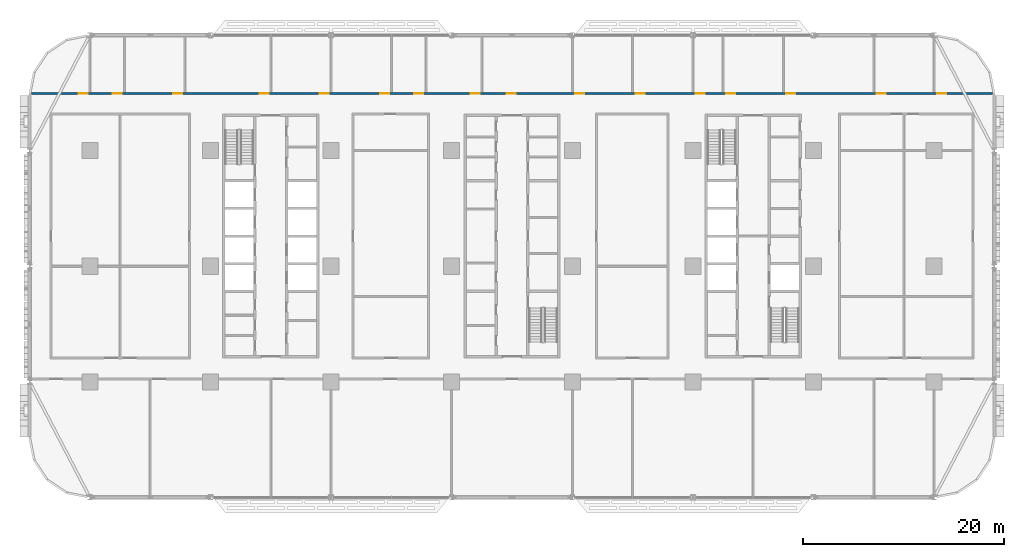
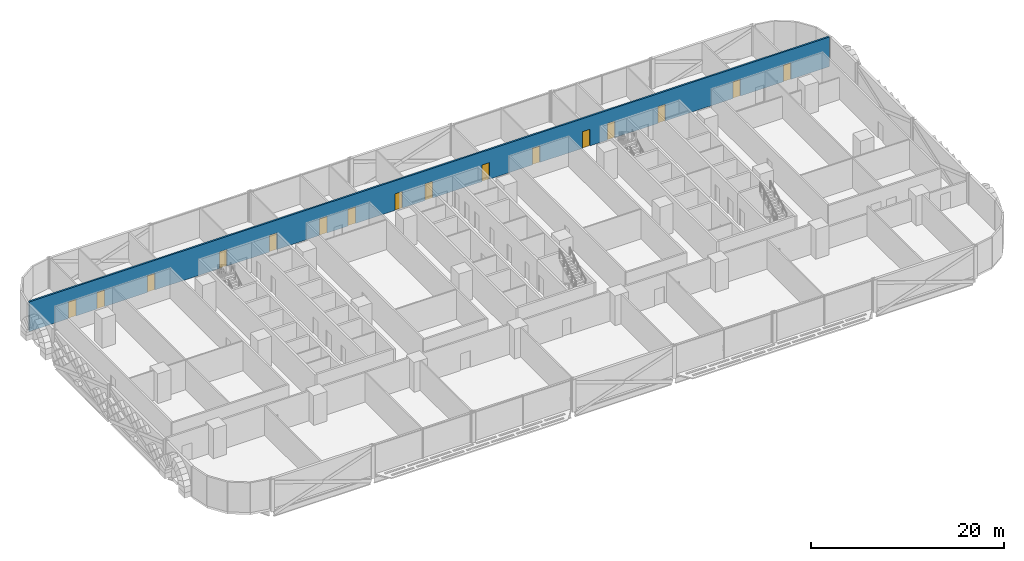
# One storey, part 13 of 29: 16 doors, 1 wall, 16 openings.
"""IFC4 building model written with IfcOpenShell, lengths in metres."""

from ifc_helpers import new_model, si_unit, direction, frame, frame_2d, origin, place, context, subcontext, project, spatial, rectangle, extrude, material, layer, layer_set, type_object, element, fill, save


model = new_model("IFC4")

# Units and contexts
model_context = context("Model", 3, precision=1e-05, world=origin(), true_north=direction((0.0, 1.0)))
body_context = subcontext(model_context, "Body", "Model", "MODEL_VIEW")
ifc_project = project(units=[si_unit("LENGTHUNIT", "METRE"), si_unit("AREAUNIT", "SQUARE_METRE"), si_unit("VOLUMEUNIT", "CUBIC_METRE"), si_unit("PLANEANGLEUNIT", "RADIAN"), si_unit("MASSUNIT", "GRAM", prefix="KILO")], contexts=[model_context])

# Site, building, storey
site_placement = place(None, origin())
site = spatial("IfcSite", under=ifc_project, at=site_placement, CompositionType="ELEMENT")
building_placement = place(site_placement, origin())
building = spatial("IfcBuilding", under=site, at=building_placement, Name="Mahtab Terrace Research Tower", CompositionType="ELEMENT")
storey_placement = place(building_placement, frame((0.0, 0.0, 37.300048828125)))
storey = spatial("IfcBuildingStorey", under=building, at=storey_placement, Name="L08", CompositionType="ELEMENT", Elevation=37.300048828125)

# Wall, openings, doors
ifc_material_1 = material(Name="Gypsum board corridor wall on steel studs", Category="steel")
ifc_layer = layer(ifc_material_1, 0.199951171875)
ifc_layer_set = layer_set([ifc_layer], Name="WALL CORRIDOR 200")
wall_type = type_object("IfcWallType", Name="WALL CORRIDOR 200", PredefinedType="PARTITIONING", material=ifc_layer_set)
wall_placement = place(storey_placement, frame((-47.807373046875, 17.199951171875, 0.0), z_axis=(0.0, 0.0, 1.0), x_axis=(1.0, 0.0, 0.0)))
wall = element("IfcWall", 1, at=wall_placement, inside=storey, type_object=wall_type, Name="L08-W026", PredefinedType="PARTITIONING", context=body_context, shape_type="SweptSolid", body=[
    extrude(rectangle(XDim=95.61474609375, YDim=0.199951171875, at=frame_2d((47.807373046875, 0.0))), origin(), (0.0, 0.0, 1.0), 3.75),
])
opening_1_placement = place(wall_placement, frame((4.699951171875, 0.0, 0.0)))
opening_1 = element("IfcOpeningElement", 2, at=opening_1_placement, cuts=wall, Name="Opening L08-126", PredefinedType="OPENING", context=body_context, shape_type="SweptSolid", body=[
    extrude(rectangle(XDim=0.89990234375, YDim=2.10009765625, at=frame_2d((0.449951171875, 1.050048828125))), frame((0.0, 0.10986328125, 0.0), z_axis=(0.0, -1.0, 0.0), x_axis=(1.0, 0.0, 0.0)), (0.0, 0.0, 1.0), 0.219970703125),
])
opening_2_placement = place(wall_placement, frame((8.10009765625, 0.0, 0.0)))
opening_2 = element("IfcOpeningElement", 3, at=opening_2_placement, cuts=wall, Name="Opening L08-127", PredefinedType="OPENING", context=body_context, shape_type="SweptSolid", body=[
    extrude(rectangle(XDim=0.89990234375, YDim=2.10009765625, at=frame_2d((0.449951171875, 1.050048828125))), frame((0.0, 0.10986328125, 0.0), z_axis=(0.0, -1.0, 0.0), x_axis=(1.0, 0.0, 0.0)), (0.0, 0.0, 1.0), 0.219970703125),
])
opening_3_placement = place(wall_placement, frame((14.10009765625, 0.0, 0.0)))
opening_3 = element("IfcOpeningElement", 4, at=opening_3_placement, cuts=wall, Name="Opening L08-128", PredefinedType="OPENING", context=body_context, shape_type="SweptSolid", body=[
    extrude(rectangle(XDim=0.89990234375, YDim=2.10009765625, at=frame_2d((0.449951171875, 1.050048828125))), frame((0.0, 0.10986328125, 0.0), z_axis=(0.0, -1.0, 0.0), x_axis=(1.0, 0.0, 0.0)), (0.0, 0.0, 1.0), 0.219970703125),
])
opening_4_placement = place(wall_placement, frame((22.699951171875, 0.0, 0.0)))
opening_4 = element("IfcOpeningElement", 5, at=opening_4_placement, cuts=wall, Name="Opening L08-129", PredefinedType="OPENING", context=body_context, shape_type="SweptSolid", body=[
    extrude(rectangle(XDim=0.89990234375, YDim=2.10009765625, at=frame_2d((0.449951171875, 1.050048828125))), frame((0.0, 0.10986328125, 0.0), z_axis=(0.0, -1.0, 0.0), x_axis=(1.0, 0.0, 0.0)), (0.0, 0.0, 1.0), 0.219970703125),
])
opening_5_placement = place(wall_placement, frame((28.699951171875, 0.0, 0.0)))
opening_5 = element("IfcOpeningElement", 6, at=opening_5_placement, cuts=wall, Name="Opening L08-130", PredefinedType="OPENING", context=body_context, shape_type="SweptSolid", body=[
    extrude(rectangle(XDim=0.89990234375, YDim=2.10009765625, at=frame_2d((0.449951171875, 1.050048828125))), frame((0.0, 0.10986328125, 0.0), z_axis=(0.0, -1.0, 0.0), x_axis=(1.0, 0.0, 0.0)), (0.0, 0.0, 1.0), 0.219970703125),
])
opening_6_placement = place(wall_placement, frame((34.699951171875, 0.0, 0.0)))
opening_6 = element("IfcOpeningElement", 7, at=opening_6_placement, cuts=wall, Name="Opening L08-131", PredefinedType="OPENING", context=body_context, shape_type="SweptSolid", body=[
    extrude(rectangle(XDim=0.89990234375, YDim=2.10009765625, at=frame_2d((0.449951171875, 1.050048828125))), frame((0.0, 0.10986328125, 0.0), z_axis=(0.0, -1.0, 0.0), x_axis=(1.0, 0.0, 0.0)), (0.0, 0.0, 1.0), 0.219970703125),
])
opening_7_placement = place(wall_placement, frame((38.10009765625, 0.0, 0.0)))
opening_7 = element("IfcOpeningElement", 8, at=opening_7_placement, cuts=wall, Name="Opening L08-132", PredefinedType="OPENING", context=body_context, shape_type="SweptSolid", body=[
    extrude(rectangle(XDim=0.89990234375, YDim=2.10009765625, at=frame_2d((0.449951171875, 1.050048828125))), frame((0.0, 0.10986328125, 0.0), z_axis=(0.0, -1.0, 0.0), x_axis=(1.0, 0.0, 0.0)), (0.0, 0.0, 1.0), 0.219970703125),
])
opening_8_placement = place(wall_placement, frame((43.699951171875, 0.0, 0.0)))
opening_8 = element("IfcOpeningElement", 9, at=opening_8_placement, cuts=wall, Name="Opening L08-133", PredefinedType="OPENING", context=body_context, shape_type="SweptSolid", body=[
    extrude(rectangle(XDim=0.89990234375, YDim=2.10009765625, at=frame_2d((0.449951171875, 1.050048828125))), frame((0.0, 0.10986328125, 0.0), z_axis=(0.0, -1.0, 0.0), x_axis=(1.0, 0.0, 0.0)), (0.0, 0.0, 1.0), 0.219970703125),
])
opening_9_placement = place(wall_placement, frame((47.300048828125, 0.0, 0.0)))
opening_9 = element("IfcOpeningElement", 10, at=opening_9_placement, cuts=wall, Name="Opening L08-134", PredefinedType="OPENING", context=body_context, shape_type="SweptSolid", body=[
    extrude(rectangle(XDim=0.89990234375, YDim=2.10009765625, at=frame_2d((0.449951171875, 1.050048828125))), frame((0.0, 0.10986328125, 0.0), z_axis=(0.0, -1.0, 0.0), x_axis=(1.0, 0.0, 0.0)), (0.0, 0.0, 1.0), 0.219970703125),
])
opening_10_placement = place(wall_placement, frame((54.10009765625, 0.0, 0.0)))
opening_10 = element("IfcOpeningElement", 11, at=opening_10_placement, cuts=wall, Name="Opening L08-135", PredefinedType="OPENING", context=body_context, shape_type="SweptSolid", body=[
    extrude(rectangle(XDim=0.89990234375, YDim=2.10009765625, at=frame_2d((0.449951171875, 1.050048828125))), frame((0.0, 0.10986328125, 0.0), z_axis=(0.0, -1.0, 0.0), x_axis=(1.0, 0.0, 0.0)), (0.0, 0.0, 1.0), 0.219970703125),
])
opening_11_placement = place(wall_placement, frame((60.10009765625, 0.0, 0.0)))
opening_11 = element("IfcOpeningElement", 12, at=opening_11_placement, cuts=wall, Name="Opening L08-136", PredefinedType="OPENING", context=body_context, shape_type="SweptSolid", body=[
    extrude(rectangle(XDim=0.89990234375, YDim=2.10009765625, at=frame_2d((0.449951171875, 1.050048828125))), frame((0.0, 0.10986328125, 0.0), z_axis=(0.0, -1.0, 0.0), x_axis=(1.0, 0.0, 0.0)), (0.0, 0.0, 1.0), 0.219970703125),
])
opening_12_placement = place(wall_placement, frame((66.10009765625, 0.0, 0.0)))
opening_12 = element("IfcOpeningElement", 13, at=opening_12_placement, cuts=wall, Name="Opening L08-137", PredefinedType="OPENING", context=body_context, shape_type="SweptSolid", body=[
    extrude(rectangle(XDim=0.89990234375, YDim=2.10009765625, at=frame_2d((0.449951171875, 1.050048828125))), frame((0.0, 0.10986328125, 0.0), z_axis=(0.0, -1.0, 0.0), x_axis=(1.0, 0.0, 0.0)), (0.0, 0.0, 1.0), 0.219970703125),
])
opening_13_placement = place(wall_placement, frame((69.10009765625, 0.0, 0.0)))
opening_13 = element("IfcOpeningElement", 14, at=opening_13_placement, cuts=wall, Name="Opening L08-138", PredefinedType="OPENING", context=body_context, shape_type="SweptSolid", body=[
    extrude(rectangle(XDim=0.89990234375, YDim=2.10009765625, at=frame_2d((0.449951171875, 1.050048828125))), frame((0.0, 0.10986328125, 0.0), z_axis=(0.0, -1.0, 0.0), x_axis=(1.0, 0.0, 0.0)), (0.0, 0.0, 1.0), 0.219970703125),
])
opening_14_placement = place(wall_placement, frame((75.10009765625, 0.0, 0.0)))
opening_14 = element("IfcOpeningElement", 15, at=opening_14_placement, cuts=wall, Name="Opening L08-139", PredefinedType="OPENING", context=body_context, shape_type="SweptSolid", body=[
    extrude(rectangle(XDim=0.89990234375, YDim=2.10009765625, at=frame_2d((0.449951171875, 1.050048828125))), frame((0.0, 0.10986328125, 0.0), z_axis=(0.0, -1.0, 0.0), x_axis=(1.0, 0.0, 0.0)), (0.0, 0.0, 1.0), 0.219970703125),
])
opening_15_placement = place(wall_placement, frame((84.10009765625, 0.0, 0.0)))
opening_15 = element("IfcOpeningElement", 16, at=opening_15_placement, cuts=wall, Name="Opening L08-140", PredefinedType="OPENING", context=body_context, shape_type="SweptSolid", body=[
    extrude(rectangle(XDim=0.89990234375, YDim=2.10009765625, at=frame_2d((0.449951171875, 1.050048828125))), frame((0.0, 0.10986328125, 0.0), z_axis=(0.0, -1.0, 0.0), x_axis=(1.0, 0.0, 0.0)), (0.0, 0.0, 1.0), 0.219970703125),
])
opening_16_placement = place(wall_placement, frame((90.10009765625, 0.0, 0.0)))
opening_16 = element("IfcOpeningElement", 17, at=opening_16_placement, cuts=wall, Name="Opening L08-141", PredefinedType="OPENING", context=body_context, shape_type="SweptSolid", body=[
    extrude(rectangle(XDim=0.89990234375, YDim=2.10009765625, at=frame_2d((0.449951171875, 1.050048828125))), frame((0.0, 0.10986328125, 0.0), z_axis=(0.0, -1.0, 0.0), x_axis=(1.0, 0.0, 0.0)), (0.0, 0.0, 1.0), 0.219970703125),
])
ifc_material_2 = material(Name="Timber door leaf in steel frame", Category="steel")
door_type = type_object("IfcDoorType", Name="DOOR 0900X2100 FD30S", OperationType="SINGLE_SWING_LEFT", PredefinedType="DOOR", material=ifc_material_2)
door_1_placement = place(opening_1_placement, origin())
door_1 = element("IfcDoor", 18, at=door_1_placement, inside=storey, type_object=door_type, Name="Door L08-126", OperationType="SINGLE_SWING_LEFT", OverallHeight=2.10009765625, OverallWidth=0.89990234375, PredefinedType="DOOR", context=body_context, shape_type="SweptSolid", body=[
    extrude(rectangle(XDim=0.89990234375, YDim=2.10009765625, at=frame_2d((0.449951171875, 1.050048828125))), frame((0.0, 0.02490234375, 0.0), z_axis=(0.0, -1.0, 0.0), x_axis=(1.0, 0.0, 0.0)), (0.0, 0.0, 1.0), 0.050048828125),
])
fill(opening_1, door_1)
door_2_placement = place(opening_2_placement, origin())
door_2 = element("IfcDoor", 19, at=door_2_placement, inside=storey, type_object=door_type, Name="Door L08-127", OperationType="SINGLE_SWING_LEFT", OverallHeight=2.10009765625, OverallWidth=0.89990234375, PredefinedType="DOOR", context=body_context, shape_type="SweptSolid", body=[
    extrude(rectangle(XDim=0.89990234375, YDim=2.10009765625, at=frame_2d((0.449951171875, 1.050048828125))), frame((0.0, 0.02490234375, 0.0), z_axis=(0.0, -1.0, 0.0), x_axis=(1.0, 0.0, 0.0)), (0.0, 0.0, 1.0), 0.050048828125),
])
fill(opening_2, door_2)
door_3_placement = place(opening_3_placement, origin())
door_3 = element("IfcDoor", 20, at=door_3_placement, inside=storey, type_object=door_type, Name="Door L08-128", OperationType="SINGLE_SWING_LEFT", OverallHeight=2.10009765625, OverallWidth=0.89990234375, PredefinedType="DOOR", context=body_context, shape_type="SweptSolid", body=[
    extrude(rectangle(XDim=0.89990234375, YDim=2.10009765625, at=frame_2d((0.449951171875, 1.050048828125))), frame((0.0, 0.02490234375, 0.0), z_axis=(0.0, -1.0, 0.0), x_axis=(1.0, 0.0, 0.0)), (0.0, 0.0, 1.0), 0.050048828125),
])
fill(opening_3, door_3)
door_4_placement = place(opening_4_placement, origin())
door_4 = element("IfcDoor", 21, at=door_4_placement, inside=storey, type_object=door_type, Name="Door L08-129", OperationType="SINGLE_SWING_LEFT", OverallHeight=2.10009765625, OverallWidth=0.89990234375, PredefinedType="DOOR", context=body_context, shape_type="SweptSolid", body=[
    extrude(rectangle(XDim=0.89990234375, YDim=2.10009765625, at=frame_2d((0.449951171875, 1.050048828125))), frame((0.0, 0.02490234375, 0.0), z_axis=(0.0, -1.0, 0.0), x_axis=(1.0, 0.0, 0.0)), (0.0, 0.0, 1.0), 0.050048828125),
])
fill(opening_4, door_4)
door_5_placement = place(opening_5_placement, origin())
door_5 = element("IfcDoor", 22, at=door_5_placement, inside=storey, type_object=door_type, Name="Door L08-130", OperationType="SINGLE_SWING_LEFT", OverallHeight=2.10009765625, OverallWidth=0.89990234375, PredefinedType="DOOR", context=body_context, shape_type="SweptSolid", body=[
    extrude(rectangle(XDim=0.89990234375, YDim=2.10009765625, at=frame_2d((0.449951171875, 1.050048828125))), frame((0.0, 0.02490234375, 0.0), z_axis=(0.0, -1.0, 0.0), x_axis=(1.0, 0.0, 0.0)), (0.0, 0.0, 1.0), 0.050048828125),
])
fill(opening_5, door_5)
door_6_placement = place(opening_6_placement, origin())
door_6 = element("IfcDoor", 23, at=door_6_placement, inside=storey, type_object=door_type, Name="Door L08-131", OperationType="SINGLE_SWING_LEFT", OverallHeight=2.10009765625, OverallWidth=0.89990234375, PredefinedType="DOOR", context=body_context, shape_type="SweptSolid", body=[
    extrude(rectangle(XDim=0.89990234375, YDim=2.10009765625, at=frame_2d((0.449951171875, 1.050048828125))), frame((0.0, 0.02490234375, 0.0), z_axis=(0.0, -1.0, 0.0), x_axis=(1.0, 0.0, 0.0)), (0.0, 0.0, 1.0), 0.050048828125),
])
fill(opening_6, door_6)
door_7_placement = place(opening_7_placement, origin())
door_7 = element("IfcDoor", 24, at=door_7_placement, inside=storey, type_object=door_type, Name="Door L08-132", OperationType="SINGLE_SWING_LEFT", OverallHeight=2.10009765625, OverallWidth=0.89990234375, PredefinedType="DOOR", context=body_context, shape_type="SweptSolid", body=[
    extrude(rectangle(XDim=0.89990234375, YDim=2.10009765625, at=frame_2d((0.449951171875, 1.050048828125))), frame((0.0, 0.02490234375, 0.0), z_axis=(0.0, -1.0, 0.0), x_axis=(1.0, 0.0, 0.0)), (0.0, 0.0, 1.0), 0.050048828125),
])
fill(opening_7, door_7)
door_8_placement = place(opening_8_placement, origin())
door_8 = element("IfcDoor", 25, at=door_8_placement, inside=storey, type_object=door_type, Name="Door L08-133", OperationType="SINGLE_SWING_LEFT", OverallHeight=2.10009765625, OverallWidth=0.89990234375, PredefinedType="DOOR", context=body_context, shape_type="SweptSolid", body=[
    extrude(rectangle(XDim=0.89990234375, YDim=2.10009765625, at=frame_2d((0.449951171875, 1.050048828125))), frame((0.0, 0.02490234375, 0.0), z_axis=(0.0, -1.0, 0.0), x_axis=(1.0, 0.0, 0.0)), (0.0, 0.0, 1.0), 0.050048828125),
])
fill(opening_8, door_8)
door_9_placement = place(opening_9_placement, origin())
door_9 = element("IfcDoor", 26, at=door_9_placement, inside=storey, type_object=door_type, Name="Door L08-134", OperationType="SINGLE_SWING_LEFT", OverallHeight=2.10009765625, OverallWidth=0.89990234375, PredefinedType="DOOR", context=body_context, shape_type="SweptSolid", body=[
    extrude(rectangle(XDim=0.89990234375, YDim=2.10009765625, at=frame_2d((0.449951171875, 1.050048828125))), frame((0.0, 0.02490234375, 0.0), z_axis=(0.0, -1.0, 0.0), x_axis=(1.0, 0.0, 0.0)), (0.0, 0.0, 1.0), 0.050048828125),
])
fill(opening_9, door_9)
door_10_placement = place(opening_10_placement, origin())
door_10 = element("IfcDoor", 27, at=door_10_placement, inside=storey, type_object=door_type, Name="Door L08-135", OperationType="SINGLE_SWING_RIGHT", OverallHeight=2.10009765625, OverallWidth=0.89990234375, PredefinedType="DOOR", context=body_context, shape_type="SweptSolid", body=[
    extrude(rectangle(XDim=0.89990234375, YDim=2.10009765625, at=frame_2d((0.449951171875, 1.050048828125))), frame((0.0, 0.02490234375, 0.0), z_axis=(0.0, -1.0, 0.0), x_axis=(1.0, 0.0, 0.0)), (0.0, 0.0, 1.0), 0.050048828125),
])
fill(opening_10, door_10)
door_11_placement = place(opening_11_placement, origin())
door_11 = element("IfcDoor", 28, at=door_11_placement, inside=storey, type_object=door_type, Name="Door L08-136", OperationType="SINGLE_SWING_RIGHT", OverallHeight=2.10009765625, OverallWidth=0.89990234375, PredefinedType="DOOR", context=body_context, shape_type="SweptSolid", body=[
    extrude(rectangle(XDim=0.89990234375, YDim=2.10009765625, at=frame_2d((0.449951171875, 1.050048828125))), frame((0.0, 0.02490234375, 0.0), z_axis=(0.0, -1.0, 0.0), x_axis=(1.0, 0.0, 0.0)), (0.0, 0.0, 1.0), 0.050048828125),
])
fill(opening_11, door_11)
door_12_placement = place(opening_12_placement, origin())
door_12 = element("IfcDoor", 29, at=door_12_placement, inside=storey, type_object=door_type, Name="Door L08-137", OperationType="SINGLE_SWING_RIGHT", OverallHeight=2.10009765625, OverallWidth=0.89990234375, PredefinedType="DOOR", context=body_context, shape_type="SweptSolid", body=[
    extrude(rectangle(XDim=0.89990234375, YDim=2.10009765625, at=frame_2d((0.449951171875, 1.050048828125))), frame((0.0, 0.02490234375, 0.0), z_axis=(0.0, -1.0, 0.0), x_axis=(1.0, 0.0, 0.0)), (0.0, 0.0, 1.0), 0.050048828125),
])
fill(opening_12, door_12)
door_13_placement = place(opening_13_placement, origin())
door_13 = element("IfcDoor", 30, at=door_13_placement, inside=storey, type_object=door_type, Name="Door L08-138", OperationType="SINGLE_SWING_RIGHT", OverallHeight=2.10009765625, OverallWidth=0.89990234375, PredefinedType="DOOR", context=body_context, shape_type="SweptSolid", body=[
    extrude(rectangle(XDim=0.89990234375, YDim=2.10009765625, at=frame_2d((0.449951171875, 1.050048828125))), frame((0.0, 0.02490234375, 0.0), z_axis=(0.0, -1.0, 0.0), x_axis=(1.0, 0.0, 0.0)), (0.0, 0.0, 1.0), 0.050048828125),
])
fill(opening_13, door_13)
door_14_placement = place(opening_14_placement, origin())
door_14 = element("IfcDoor", 31, at=door_14_placement, inside=storey, type_object=door_type, Name="Door L08-139", OperationType="SINGLE_SWING_RIGHT", OverallHeight=2.10009765625, OverallWidth=0.89990234375, PredefinedType="DOOR", context=body_context, shape_type="SweptSolid", body=[
    extrude(rectangle(XDim=0.89990234375, YDim=2.10009765625, at=frame_2d((0.449951171875, 1.050048828125))), frame((0.0, 0.02490234375, 0.0), z_axis=(0.0, -1.0, 0.0), x_axis=(1.0, 0.0, 0.0)), (0.0, 0.0, 1.0), 0.050048828125),
])
fill(opening_14, door_14)
door_15_placement = place(opening_15_placement, origin())
door_15 = element("IfcDoor", 32, at=door_15_placement, inside=storey, type_object=door_type, Name="Door L08-140", OperationType="SINGLE_SWING_RIGHT", OverallHeight=2.10009765625, OverallWidth=0.89990234375, PredefinedType="DOOR", context=body_context, shape_type="SweptSolid", body=[
    extrude(rectangle(XDim=0.89990234375, YDim=2.10009765625, at=frame_2d((0.449951171875, 1.050048828125))), frame((0.0, 0.02490234375, 0.0), z_axis=(0.0, -1.0, 0.0), x_axis=(1.0, 0.0, 0.0)), (0.0, 0.0, 1.0), 0.050048828125),
])
fill(opening_15, door_15)
door_16_placement = place(opening_16_placement, origin())
door_16 = element("IfcDoor", 33, at=door_16_placement, inside=storey, type_object=door_type, Name="Door L08-141", OperationType="SINGLE_SWING_RIGHT", OverallHeight=2.10009765625, OverallWidth=0.89990234375, PredefinedType="DOOR", context=body_context, shape_type="SweptSolid", body=[
    extrude(rectangle(XDim=0.89990234375, YDim=2.10009765625, at=frame_2d((0.449951171875, 1.050048828125))), frame((0.0, 0.02490234375, 0.0), z_axis=(0.0, -1.0, 0.0), x_axis=(1.0, 0.0, 0.0)), (0.0, 0.0, 1.0), 0.050048828125),
])
fill(opening_16, door_16)

save(model, "model.ifc")
